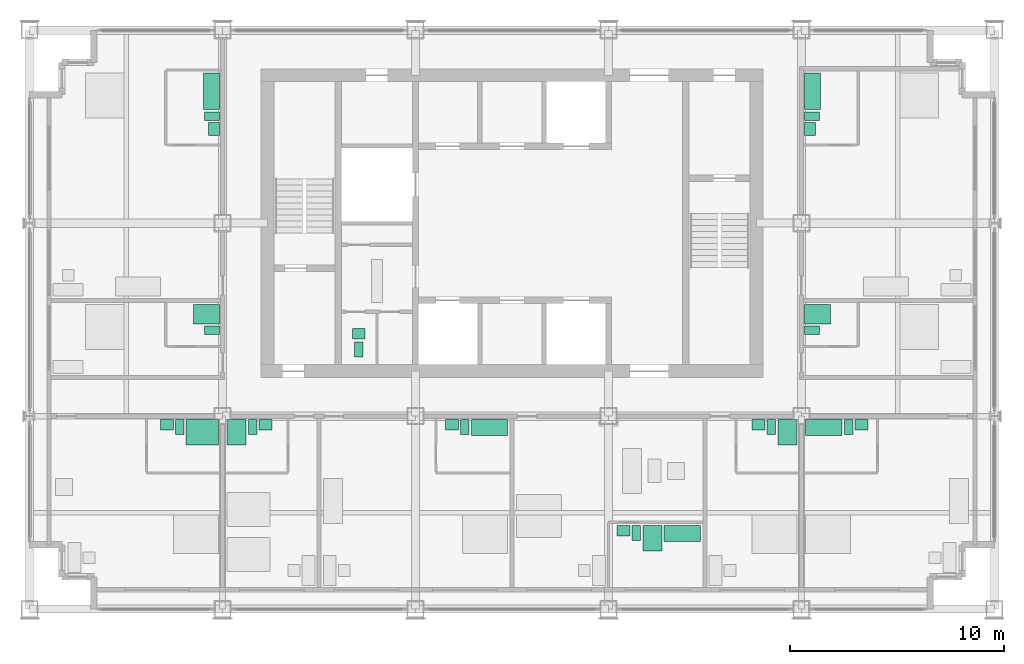
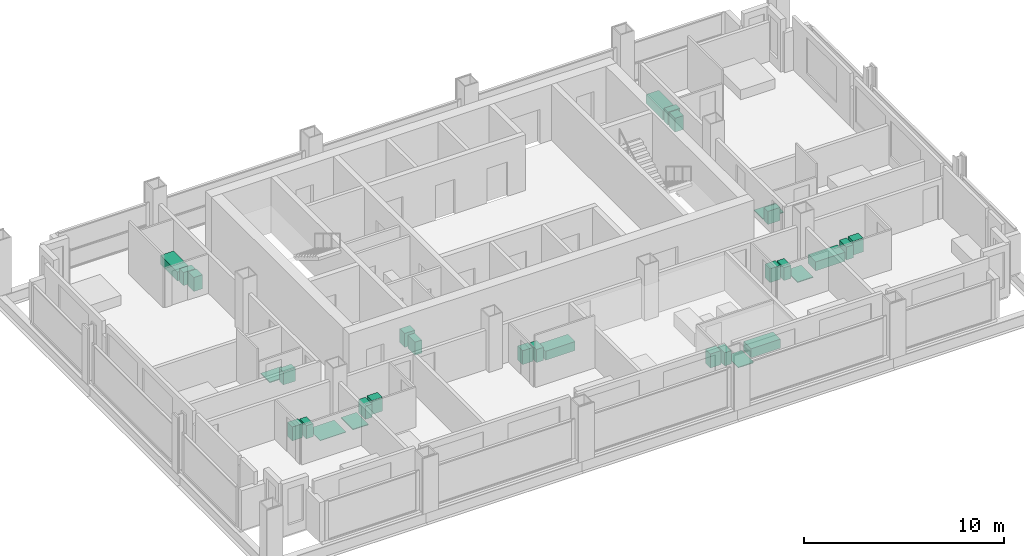
# One storey, part 12 of 13: 31 sanitary terminals.
"""IFC4 building model written with IfcOpenShell, lengths in metres."""

from ifc_helpers import new_model, si_unit, direction, frame, origin, origin_2d, place, context, subcontext, project, spatial, rectangle, extrude, element, save


model = new_model("IFC4")

# Units and contexts
model_context = context("Model", 3, precision=1e-05, world=origin(), true_north=direction((0.0, 1.0)))
body_context = subcontext(model_context, "Body", "Model", "MODEL_VIEW")
ifc_project = project(units=[si_unit("LENGTHUNIT", "METRE"), si_unit("AREAUNIT", "SQUARE_METRE"), si_unit("VOLUMEUNIT", "CUBIC_METRE"), si_unit("PLANEANGLEUNIT", "RADIAN"), si_unit("MASSUNIT", "GRAM", prefix="KILO")], contexts=[model_context])

# Site, building, storey
site_placement = place(None, origin())
site = spatial("IfcSite", under=ifc_project, at=site_placement, CompositionType="ELEMENT")
building_placement = place(site_placement, origin())
building = spatial("IfcBuilding", under=site, at=building_placement, Name="Loomwork Tower", CompositionType="ELEMENT")
storey_placement = place(building_placement, frame((0.0, 0.0, 204.60009765625)))
storey = spatial("IfcBuildingStorey", under=building, at=storey_placement, Name="L56", CompositionType="ELEMENT", Elevation=204.60009765625)

# Sanitary terminals
sanitary_terminal_1_placement = place(storey_placement, frame((8.050048828125, 8.25, 0.0), z_axis=(0.0, 0.0, 1.0), x_axis=(1.0, 0.0, 0.0)))
element("IfcSanitaryTerminal", 1, at=sanitary_terminal_1_placement, inside=storey, Name="Roll-in shower floor L56", PredefinedType="SHOWER", context=body_context, shape_type="SweptSolid", body=[
    extrude(rectangle(XDim=1.5, YDim=1.199951171875, at=origin_2d()), origin(), (0.0, 0.0, 1.0), 0.030029296875),
])
sanitary_terminal_2_placement = place(storey_placement, frame((7.0, 8.5, 0.0), z_axis=(0.0, 0.0, 1.0), x_axis=(1.0, 0.0, 0.0)))
element("IfcSanitaryTerminal", 2, at=sanitary_terminal_2_placement, inside=storey, Name="WC L56", PredefinedType="TOILETPAN", context=body_context, shape_type="SweptSolid", body=[
    extrude(rectangle(XDim=0.39990234375, YDim=0.699951171875, at=origin_2d()), origin(), (0.0, 0.0, 1.0), 0.800048828125),
])
sanitary_terminal_3_placement = place(storey_placement, frame((6.39990234375, 8.60009765625, -0.000244140625), z_axis=(0.0, 0.0, 1.0), x_axis=(1.0, 0.0, 0.0)))
element("IfcSanitaryTerminal", 3, at=sanitary_terminal_3_placement, inside=storey, Name="Basin vanity L56", PredefinedType="WASHHANDBASIN", context=body_context, shape_type="SweptSolid", body=[
    extrude(rectangle(XDim=0.60009765625, YDim=0.5, at=origin_2d()), origin(), (0.0, 0.0, 1.0), 0.85009765625),
])
sanitary_terminal_4_placement = place(storey_placement, frame((9.64990234375, 8.25, 0.0), z_axis=(0.0, 0.0, 1.0), x_axis=(1.0, 0.0, 0.0)))
element("IfcSanitaryTerminal", 4, at=sanitary_terminal_4_placement, inside=storey, Name="Shower tray L56", PredefinedType="SHOWER", context=body_context, shape_type="SweptSolid", body=[
    extrude(rectangle(XDim=0.89990234375, YDim=1.199951171875, at=origin_2d()), origin(), (0.0, 0.0, 1.0), 0.050048828125),
])
sanitary_terminal_5_placement = place(storey_placement, frame((10.39990234375, 8.5, 0.0), z_axis=(0.0, 0.0, 1.0), x_axis=(1.0, 0.0, 0.0)))
element("IfcSanitaryTerminal", 5, at=sanitary_terminal_5_placement, inside=storey, Name="WC L56", PredefinedType="TOILETPAN", context=body_context, shape_type="SweptSolid", body=[
    extrude(rectangle(XDim=0.39990234375, YDim=0.699951171875, at=origin_2d()), origin(), (0.0, 0.0, 1.0), 0.800048828125),
])
sanitary_terminal_6_placement = place(storey_placement, frame((11.0, 8.60009765625, -0.000244140625), z_axis=(0.0, 0.0, 1.0), x_axis=(1.0, 0.0, 0.0)))
element("IfcSanitaryTerminal", 6, at=sanitary_terminal_6_placement, inside=storey, Name="Basin vanity L56", PredefinedType="WASHHANDBASIN", context=body_context, shape_type="SweptSolid", body=[
    extrude(rectangle(XDim=0.60009765625, YDim=0.5, at=origin_2d()), origin(), (0.0, 0.0, 1.0), 0.85009765625),
])
sanitary_terminal_7_placement = place(storey_placement, frame((21.449951171875, 8.47509765625, 0.0), z_axis=(0.0, 0.0, 1.0), x_axis=(1.0, 0.0, 0.0)))
element("IfcSanitaryTerminal", 7, at=sanitary_terminal_7_placement, inside=storey, Name="Bath L56", PredefinedType="BATH", context=body_context, shape_type="SweptSolid", body=[
    extrude(rectangle(XDim=1.699951171875, YDim=0.75, at=origin_2d()), origin(), (0.0, 0.0, 1.0), 0.550048828125),
])
sanitary_terminal_8_placement = place(storey_placement, frame((20.300048828125, 8.5, 0.0), z_axis=(0.0, 0.0, 1.0), x_axis=(1.0, 0.0, 0.0)))
element("IfcSanitaryTerminal", 8, at=sanitary_terminal_8_placement, inside=storey, Name="WC L56", PredefinedType="TOILETPAN", context=body_context, shape_type="SweptSolid", body=[
    extrude(rectangle(XDim=0.39990234375, YDim=0.699951171875, at=origin_2d()), origin(), (0.0, 0.0, 1.0), 0.800048828125),
])
sanitary_terminal_9_placement = place(storey_placement, frame((19.699951171875, 8.60009765625, -0.000244140625), z_axis=(0.0, 0.0, 1.0), x_axis=(1.0, 0.0, 0.0)))
element("IfcSanitaryTerminal", 9, at=sanitary_terminal_9_placement, inside=storey, Name="Basin vanity L56", PredefinedType="WASHHANDBASIN", context=body_context, shape_type="SweptSolid", body=[
    extrude(rectangle(XDim=0.60009765625, YDim=0.5, at=origin_2d()), origin(), (0.0, 0.0, 1.0), 0.85009765625),
])
sanitary_terminal_10_placement = place(storey_placement, frame((30.449951171875, 3.52490234375, 0.0), z_axis=(0.0, 0.0, 1.0), x_axis=(1.0, 0.0, 0.0)))
element("IfcSanitaryTerminal", 10, at=sanitary_terminal_10_placement, inside=storey, Name="Bath L56", PredefinedType="BATH", context=body_context, shape_type="SweptSolid", body=[
    extrude(rectangle(XDim=1.699951171875, YDim=0.75, at=origin_2d()), origin(), (0.0, 0.0, 1.0), 0.550048828125),
])
sanitary_terminal_11_placement = place(storey_placement, frame((29.050048828125, 3.300048828125, 0.0), z_axis=(0.0, 0.0, 1.0), x_axis=(1.0, 0.0, 0.0)))
element("IfcSanitaryTerminal", 11, at=sanitary_terminal_11_placement, inside=storey, Name="Shower tray L56", PredefinedType="SHOWER", context=body_context, shape_type="SweptSolid", body=[
    extrude(rectangle(XDim=0.89990234375, YDim=1.199951171875, at=origin_2d()), origin(), (0.0, 0.0, 1.0), 0.050048828125),
])
sanitary_terminal_12_placement = place(storey_placement, frame((28.300048828125, 3.550048828125, 0.0), z_axis=(0.0, 0.0, 1.0), x_axis=(1.0, 0.0, 0.0)))
element("IfcSanitaryTerminal", 12, at=sanitary_terminal_12_placement, inside=storey, Name="WC L56", PredefinedType="TOILETPAN", context=body_context, shape_type="SweptSolid", body=[
    extrude(rectangle(XDim=0.39990234375, YDim=0.699951171875, at=origin_2d()), origin(), (0.0, 0.0, 1.0), 0.800048828125),
])
sanitary_terminal_13_placement = place(storey_placement, frame((27.699951171875, 3.64990234375, -0.000244140625), z_axis=(0.0, 0.0, 1.0), x_axis=(1.0, 0.0, 0.0)))
element("IfcSanitaryTerminal", 13, at=sanitary_terminal_13_placement, inside=storey, Name="Basin vanity L56", PredefinedType="WASHHANDBASIN", context=body_context, shape_type="SweptSolid", body=[
    extrude(rectangle(XDim=0.60009765625, YDim=0.5, at=origin_2d()), origin(), (0.0, 0.0, 1.0), 0.85009765625),
])
sanitary_terminal_14_placement = place(storey_placement, frame((35.35009765625, 8.25, 0.0), z_axis=(0.0, 0.0, 1.0), x_axis=(1.0, 0.0, 0.0)))
element("IfcSanitaryTerminal", 14, at=sanitary_terminal_14_placement, inside=storey, Name="Shower tray L56", PredefinedType="SHOWER", context=body_context, shape_type="SweptSolid", body=[
    extrude(rectangle(XDim=0.89990234375, YDim=1.199951171875, at=origin_2d()), origin(), (0.0, 0.0, 1.0), 0.050048828125),
])
sanitary_terminal_15_placement = place(storey_placement, frame((34.60009765625, 8.5, 0.0), z_axis=(0.0, 0.0, 1.0), x_axis=(1.0, 0.0, 0.0)))
element("IfcSanitaryTerminal", 15, at=sanitary_terminal_15_placement, inside=storey, Name="WC L56", PredefinedType="TOILETPAN", context=body_context, shape_type="SweptSolid", body=[
    extrude(rectangle(XDim=0.39990234375, YDim=0.699951171875, at=origin_2d()), origin(), (0.0, 0.0, 1.0), 0.800048828125),
])
sanitary_terminal_16_placement = place(storey_placement, frame((34.0, 8.60009765625, -0.000244140625), z_axis=(0.0, 0.0, 1.0), x_axis=(1.0, 0.0, 0.0)))
element("IfcSanitaryTerminal", 16, at=sanitary_terminal_16_placement, inside=storey, Name="Basin vanity L56", PredefinedType="WASHHANDBASIN", context=body_context, shape_type="SweptSolid", body=[
    extrude(rectangle(XDim=0.60009765625, YDim=0.5, at=origin_2d()), origin(), (0.0, 0.0, 1.0), 0.85009765625),
])
sanitary_terminal_17_placement = place(storey_placement, frame((37.050048828125, 8.47509765625, 0.0), z_axis=(0.0, 0.0, 1.0), x_axis=(1.0, 0.0, 0.0)))
element("IfcSanitaryTerminal", 17, at=sanitary_terminal_17_placement, inside=storey, Name="Bath L56", PredefinedType="BATH", context=body_context, shape_type="SweptSolid", body=[
    extrude(rectangle(XDim=1.699951171875, YDim=0.75, at=origin_2d()), origin(), (0.0, 0.0, 1.0), 0.550048828125),
])
sanitary_terminal_18_placement = place(storey_placement, frame((38.199951171875, 8.5, 0.0), z_axis=(0.0, 0.0, 1.0), x_axis=(1.0, 0.0, 0.0)))
element("IfcSanitaryTerminal", 18, at=sanitary_terminal_18_placement, inside=storey, Name="WC L56", PredefinedType="TOILETPAN", context=body_context, shape_type="SweptSolid", body=[
    extrude(rectangle(XDim=0.39990234375, YDim=0.699951171875, at=origin_2d()), origin(), (0.0, 0.0, 1.0), 0.800048828125),
])
sanitary_terminal_19_placement = place(storey_placement, frame((38.800048828125, 8.60009765625, -0.000244140625), z_axis=(0.0, 0.0, 1.0), x_axis=(1.0, 0.0, 0.0)))
element("IfcSanitaryTerminal", 19, at=sanitary_terminal_19_placement, inside=storey, Name="Basin vanity L56", PredefinedType="WASHHANDBASIN", context=body_context, shape_type="SweptSolid", body=[
    extrude(rectangle(XDim=0.60009765625, YDim=0.5, at=origin_2d()), origin(), (0.0, 0.0, 1.0), 0.85009765625),
])
sanitary_terminal_20_placement = place(storey_placement, frame((8.25, 13.75, 0.0), z_axis=(0.0, 0.0, 1.0), x_axis=(1.0, 0.0, 0.0)))
element("IfcSanitaryTerminal", 20, at=sanitary_terminal_20_placement, inside=storey, Name="Shower tray L56", PredefinedType="SHOWER", context=body_context, shape_type="SweptSolid", body=[
    extrude(rectangle(XDim=1.199951171875, YDim=0.89990234375, at=origin_2d()), origin(), (0.0, 0.0, 1.0), 0.050048828125),
])
sanitary_terminal_21_placement = place(storey_placement, frame((8.5, 13.0, 0.0), z_axis=(0.0, 0.0, 1.0), x_axis=(1.0, 0.0, 0.0)))
element("IfcSanitaryTerminal", 21, at=sanitary_terminal_21_placement, inside=storey, Name="WC L56", PredefinedType="TOILETPAN", context=body_context, shape_type="SweptSolid", body=[
    extrude(rectangle(XDim=0.699951171875, YDim=0.39990234375, at=origin_2d()), origin(), (0.0, 0.0, 1.0), 0.800048828125),
])
sanitary_terminal_22_placement = place(storey_placement, frame((8.47509765625, 24.14990234375, 0.0), z_axis=(0.0, 0.0, 1.0), x_axis=(1.0, 0.0, 0.0)))
element("IfcSanitaryTerminal", 22, at=sanitary_terminal_22_placement, inside=storey, Name="Bath L56", PredefinedType="BATH", context=body_context, shape_type="SweptSolid", body=[
    extrude(rectangle(XDim=0.75, YDim=1.699951171875, at=origin_2d()), origin(), (0.0, 0.0, 1.0), 0.550048828125),
])
sanitary_terminal_23_placement = place(storey_placement, frame((8.5, 23.0, 0.0), z_axis=(0.0, 0.0, 1.0), x_axis=(1.0, 0.0, 0.0)))
element("IfcSanitaryTerminal", 23, at=sanitary_terminal_23_placement, inside=storey, Name="WC L56", PredefinedType="TOILETPAN", context=body_context, shape_type="SweptSolid", body=[
    extrude(rectangle(XDim=0.699951171875, YDim=0.39990234375, at=origin_2d()), origin(), (0.0, 0.0, 1.0), 0.800048828125),
])
sanitary_terminal_24_placement = place(storey_placement, frame((8.60009765625, 22.39990234375, -0.000244140625), z_axis=(0.0, 0.0, 1.0), x_axis=(1.0, 0.0, 0.0)))
element("IfcSanitaryTerminal", 24, at=sanitary_terminal_24_placement, inside=storey, Name="Basin vanity L56", PredefinedType="WASHHANDBASIN", context=body_context, shape_type="SweptSolid", body=[
    extrude(rectangle(XDim=0.5, YDim=0.60009765625, at=origin_2d()), origin(), (0.0, 0.0, 1.0), 0.85009765625),
])
sanitary_terminal_25_placement = place(storey_placement, frame((36.75, 13.75, 0.0), z_axis=(0.0, 0.0, 1.0), x_axis=(1.0, 0.0, 0.0)))
element("IfcSanitaryTerminal", 25, at=sanitary_terminal_25_placement, inside=storey, Name="Shower tray L56", PredefinedType="SHOWER", context=body_context, shape_type="SweptSolid", body=[
    extrude(rectangle(XDim=1.199951171875, YDim=0.89990234375, at=origin_2d()), origin(), (0.0, 0.0, 1.0), 0.050048828125),
])
sanitary_terminal_26_placement = place(storey_placement, frame((36.5, 13.0, 0.0), z_axis=(0.0, 0.0, 1.0), x_axis=(1.0, 0.0, 0.0)))
element("IfcSanitaryTerminal", 26, at=sanitary_terminal_26_placement, inside=storey, Name="WC L56", PredefinedType="TOILETPAN", context=body_context, shape_type="SweptSolid", body=[
    extrude(rectangle(XDim=0.699951171875, YDim=0.39990234375, at=origin_2d()), origin(), (0.0, 0.0, 1.0), 0.800048828125),
])
sanitary_terminal_27_placement = place(storey_placement, frame((36.52490234375, 24.14990234375, 0.0), z_axis=(0.0, 0.0, 1.0), x_axis=(1.0, 0.0, 0.0)))
element("IfcSanitaryTerminal", 27, at=sanitary_terminal_27_placement, inside=storey, Name="Bath L56", PredefinedType="BATH", context=body_context, shape_type="SweptSolid", body=[
    extrude(rectangle(XDim=0.75, YDim=1.699951171875, at=origin_2d()), origin(), (0.0, 0.0, 1.0), 0.550048828125),
])
sanitary_terminal_28_placement = place(storey_placement, frame((36.5, 23.0, 0.0), z_axis=(0.0, 0.0, 1.0), x_axis=(1.0, 0.0, 0.0)))
element("IfcSanitaryTerminal", 28, at=sanitary_terminal_28_placement, inside=storey, Name="WC L56", PredefinedType="TOILETPAN", context=body_context, shape_type="SweptSolid", body=[
    extrude(rectangle(XDim=0.699951171875, YDim=0.39990234375, at=origin_2d()), origin(), (0.0, 0.0, 1.0), 0.800048828125),
])
sanitary_terminal_29_placement = place(storey_placement, frame((36.39990234375, 22.39990234375, -0.000244140625), z_axis=(0.0, 0.0, 1.0), x_axis=(1.0, 0.0, 0.0)))
element("IfcSanitaryTerminal", 29, at=sanitary_terminal_29_placement, inside=storey, Name="Basin vanity L56", PredefinedType="WASHHANDBASIN", context=body_context, shape_type="SweptSolid", body=[
    extrude(rectangle(XDim=0.5, YDim=0.60009765625, at=origin_2d()), origin(), (0.0, 0.0, 1.0), 0.85009765625),
])
sanitary_terminal_30_placement = place(storey_placement, frame((15.35009765625, 12.10009765625, 0.0), z_axis=(0.0, 0.0, 1.0), x_axis=(1.0, 0.0, 0.0)))
element("IfcSanitaryTerminal", 30, at=sanitary_terminal_30_placement, inside=storey, Name="WC L56", PredefinedType="TOILETPAN", context=body_context, shape_type="SweptSolid", body=[
    extrude(rectangle(XDim=0.39990234375, YDim=0.699951171875, at=origin_2d()), origin(), (0.0, 0.0, 1.0), 0.800048828125),
])
sanitary_terminal_31_placement = place(storey_placement, frame((15.35009765625, 12.85009765625, -0.000244140625), z_axis=(0.0, 0.0, 1.0), x_axis=(1.0, 0.0, 0.0)))
element("IfcSanitaryTerminal", 31, at=sanitary_terminal_31_placement, inside=storey, Name="Basin L56", PredefinedType="WASHHANDBASIN", context=body_context, shape_type="SweptSolid", body=[
    extrude(rectangle(XDim=0.60009765625, YDim=0.5, at=origin_2d()), origin(), (0.0, 0.0, 1.0), 0.85009765625),
])

save(model, "model.ifc")
